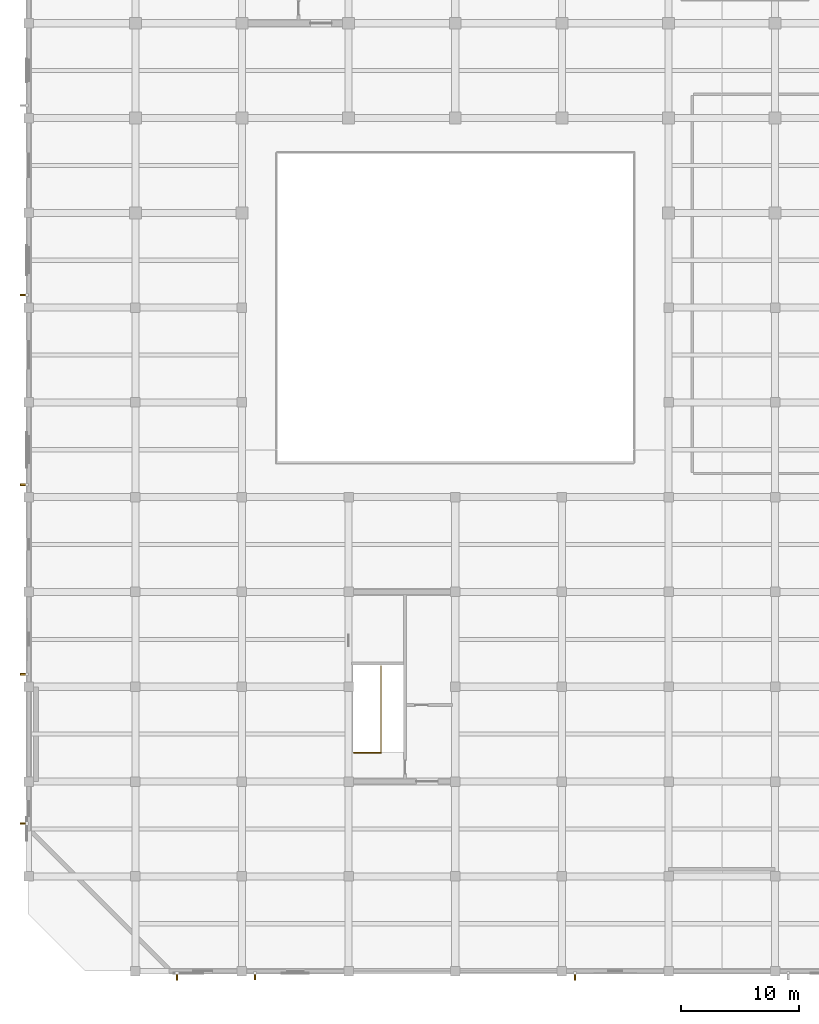
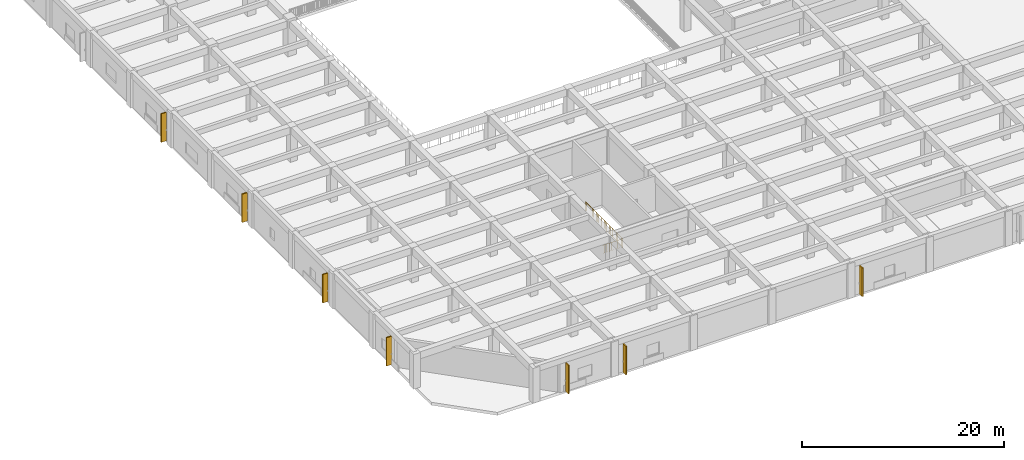
# One storey, part 27 of 32: 7 shading devices, 1 railing.
"""IFC4 building model written with IfcOpenShell, lengths in metres."""

from ifc_helpers import new_model, si_unit, direction, frame, frame_2d, origin, origin_2d, place, context, subcontext, project, spatial, rectangle, circle, extrude, material, layer, layer_set, type_object, element, save


model = new_model("IFC4")

# Units and contexts
model_context = context("Model", 3, precision=1e-05, world=origin(), true_north=direction((0.0, 1.0)))
body_context = subcontext(model_context, "Body", "Model", "MODEL_VIEW")
ifc_project = project(units=[si_unit("LENGTHUNIT", "METRE"), si_unit("AREAUNIT", "SQUARE_METRE"), si_unit("VOLUMEUNIT", "CUBIC_METRE"), si_unit("PLANEANGLEUNIT", "RADIAN"), si_unit("MASSUNIT", "GRAM", prefix="KILO")], contexts=[model_context])

# Site, building, storey
site_placement = place(None, origin())
site = spatial("IfcSite", under=ifc_project, at=site_placement, CompositionType="ELEMENT")
building_placement = place(site_placement, origin())
building = spatial("IfcBuilding", under=site, at=building_placement, Name="Zaverband Oceanarium and Marine Research Institute", CompositionType="ELEMENT")
storey_placement = place(building_placement, frame((0.0, 0.0, 13.5)))
storey = spatial("IfcBuildingStorey", under=building, at=storey_placement, Name="L03", CompositionType="ELEMENT", Elevation=13.5)

# Railing
ifc_material_1 = material(Name="Steel S355", Category="steel")
ifc_layer_1 = layer(ifc_material_1, 0.06005859375, Name="Steel S355")
ifc_layer_set_1 = layer_set([ifc_layer_1], Name="Steel S355")
railing_type = type_object("IfcRailingType", Name="GRD-1100", PredefinedType="BALUSTRADE", material=ifc_layer_set_1)
railing_placement = place(storey_placement, frame((27.429931640625, 18.429931640625, 0.0)))
element("IfcRailing", 1, at=railing_placement, inside=storey, type_object=railing_type, Name="1100 mm steel post-and-baluster safety guard GRD-1100", PredefinedType="BALUSTRADE", context=body_context, shape_type="SweptSolid", body=[
    extrude(circle(Radius=0.02392578125, at=origin_2d()), frame((0.0, 0.0, 1.076171875), z_axis=(1.0, 0.0, 0.0), x_axis=(0.0, 1.0, 0.0)), (0.0, 0.0, 1.0), 2.320068359375),
    extrude(circle(Radius=0.009033203125, at=origin_2d()), frame((0.0, 0.0, 0.10009765625), z_axis=(1.0, 0.0, 0.0), x_axis=(0.0, 1.0, 0.0)), (0.0, 0.0, 1.0), 2.320068359375),
    extrude(circle(Radius=0.009033203125, at=origin_2d()), frame((0.2109375, 0.0, 0.10009765625)), (0.0, 0.0, 1.0), 0.951904296875),
    extrude(circle(Radius=0.009033203125, at=origin_2d()), frame((0.421875, 0.0, 0.10009765625)), (0.0, 0.0, 1.0), 0.951904296875),
    extrude(circle(Radius=0.009033203125, at=origin_2d()), frame((0.6328125, 0.0, 0.10009765625)), (0.0, 0.0, 1.0), 0.951904296875),
    extrude(circle(Radius=0.009033203125, at=origin_2d()), frame((0.84375, 0.0, 0.10009765625)), (0.0, 0.0, 1.0), 0.951904296875),
    extrude(circle(Radius=0.009033203125, at=origin_2d()), frame((1.0546875, 0.0, 0.10009765625)), (0.0, 0.0, 1.0), 0.951904296875),
    extrude(circle(Radius=0.009033203125, at=origin_2d()), frame((1.265380859375, 0.0, 0.10009765625)), (0.0, 0.0, 1.0), 0.951904296875),
    extrude(circle(Radius=0.009033203125, at=origin_2d()), frame((1.476318359375, 0.0, 0.10009765625)), (0.0, 0.0, 1.0), 0.951904296875),
    extrude(circle(Radius=0.009033203125, at=origin_2d()), frame((1.687255859375, 0.0, 0.10009765625)), (0.0, 0.0, 1.0), 0.951904296875),
    extrude(circle(Radius=0.009033203125, at=origin_2d()), frame((1.898193359375, 0.0, 0.10009765625)), (0.0, 0.0, 1.0), 0.951904296875),
    extrude(circle(Radius=0.009033203125, at=origin_2d()), frame((2.109130859375, 0.0, 0.10009765625)), (0.0, 0.0, 1.0), 0.951904296875),
    extrude(circle(Radius=0.02392578125, at=origin_2d()), frame((2.320068359375, 0.0, 1.076171875), z_axis=(0.0, 1.0, 0.0), x_axis=(-1.0, 0.0, 0.0)), (0.0, 0.0, 1.0), 7.340087890625),
    extrude(circle(Radius=0.009033203125, at=origin_2d()), frame((2.320068359375, 0.0, 0.10009765625), z_axis=(0.0, 1.0, 0.0), x_axis=(-1.0, 0.0, 0.0)), (0.0, 0.0, 1.0), 7.340087890625),
    extrude(circle(Radius=0.009033203125, at=origin_2d()), frame((2.320068359375, 0.2158203125, 0.10009765625)), (0.0, 0.0, 1.0), 0.951904296875),
    extrude(circle(Radius=0.009033203125, at=origin_2d()), frame((2.320068359375, 0.431884765625, 0.10009765625)), (0.0, 0.0, 1.0), 0.951904296875),
    extrude(circle(Radius=0.009033203125, at=origin_2d()), frame((2.320068359375, 0.647705078125, 0.10009765625)), (0.0, 0.0, 1.0), 0.951904296875),
    extrude(circle(Radius=0.009033203125, at=origin_2d()), frame((2.320068359375, 0.863525390625, 0.10009765625)), (0.0, 0.0, 1.0), 0.951904296875),
    extrude(circle(Radius=0.009033203125, at=origin_2d()), frame((2.320068359375, 1.079345703125, 0.10009765625)), (0.0, 0.0, 1.0), 0.951904296875),
    extrude(circle(Radius=0.009033203125, at=origin_2d()), frame((2.320068359375, 1.29541015625, 0.10009765625)), (0.0, 0.0, 1.0), 0.951904296875),
    extrude(circle(Radius=0.009033203125, at=origin_2d()), frame((2.320068359375, 1.51123046875, 0.10009765625)), (0.0, 0.0, 1.0), 0.951904296875),
    extrude(circle(Radius=0.009033203125, at=origin_2d()), frame((2.320068359375, 1.72705078125, 0.10009765625)), (0.0, 0.0, 1.0), 0.951904296875),
    extrude(circle(Radius=0.009033203125, at=origin_2d()), frame((2.320068359375, 1.94287109375, 0.10009765625)), (0.0, 0.0, 1.0), 0.951904296875),
    extrude(circle(Radius=0.009033203125, at=origin_2d()), frame((2.320068359375, 2.158935546875, 0.10009765625)), (0.0, 0.0, 1.0), 0.951904296875),
    extrude(circle(Radius=0.009033203125, at=origin_2d()), frame((2.320068359375, 2.374755859375, 0.10009765625)), (0.0, 0.0, 1.0), 0.951904296875),
    extrude(circle(Radius=0.009033203125, at=origin_2d()), frame((2.320068359375, 2.590576171875, 0.10009765625)), (0.0, 0.0, 1.0), 0.951904296875),
    extrude(circle(Radius=0.009033203125, at=origin_2d()), frame((2.320068359375, 2.806396484375, 0.10009765625)), (0.0, 0.0, 1.0), 0.951904296875),
    extrude(circle(Radius=0.009033203125, at=origin_2d()), frame((2.320068359375, 3.0224609375, 0.10009765625)), (0.0, 0.0, 1.0), 0.951904296875),
    extrude(circle(Radius=0.009033203125, at=origin_2d()), frame((2.320068359375, 3.23828125, 0.10009765625)), (0.0, 0.0, 1.0), 0.951904296875),
    extrude(circle(Radius=0.009033203125, at=origin_2d()), frame((2.320068359375, 3.4541015625, 0.10009765625)), (0.0, 0.0, 1.0), 0.951904296875),
    extrude(circle(Radius=0.009033203125, at=origin_2d()), frame((2.320068359375, 3.669921875, 0.10009765625)), (0.0, 0.0, 1.0), 0.951904296875),
    extrude(circle(Radius=0.009033203125, at=origin_2d()), frame((2.320068359375, 3.885986328125, 0.10009765625)), (0.0, 0.0, 1.0), 0.951904296875),
    extrude(circle(Radius=0.009033203125, at=origin_2d()), frame((2.320068359375, 4.101806640625, 0.10009765625)), (0.0, 0.0, 1.0), 0.951904296875),
    extrude(circle(Radius=0.009033203125, at=origin_2d()), frame((2.320068359375, 4.317626953125, 0.10009765625)), (0.0, 0.0, 1.0), 0.951904296875),
    extrude(circle(Radius=0.009033203125, at=origin_2d()), frame((2.320068359375, 4.53369140625, 0.10009765625)), (0.0, 0.0, 1.0), 0.951904296875),
    extrude(circle(Radius=0.009033203125, at=origin_2d()), frame((2.320068359375, 4.74951171875, 0.10009765625)), (0.0, 0.0, 1.0), 0.951904296875),
    extrude(circle(Radius=0.009033203125, at=origin_2d()), frame((2.320068359375, 4.96533203125, 0.10009765625)), (0.0, 0.0, 1.0), 0.951904296875),
    extrude(circle(Radius=0.009033203125, at=origin_2d()), frame((2.320068359375, 5.18115234375, 0.10009765625)), (0.0, 0.0, 1.0), 0.951904296875),
    extrude(circle(Radius=0.009033203125, at=origin_2d()), frame((2.320068359375, 5.397216796875, 0.10009765625)), (0.0, 0.0, 1.0), 0.951904296875),
    extrude(circle(Radius=0.009033203125, at=origin_2d()), frame((2.320068359375, 5.613037109375, 0.10009765625)), (0.0, 0.0, 1.0), 0.951904296875),
    extrude(circle(Radius=0.009033203125, at=origin_2d()), frame((2.320068359375, 5.828857421875, 0.10009765625)), (0.0, 0.0, 1.0), 0.951904296875),
    extrude(circle(Radius=0.009033203125, at=origin_2d()), frame((2.320068359375, 6.044677734375, 0.10009765625)), (0.0, 0.0, 1.0), 0.951904296875),
    extrude(circle(Radius=0.009033203125, at=origin_2d()), frame((2.320068359375, 6.2607421875, 0.10009765625)), (0.0, 0.0, 1.0), 0.951904296875),
    extrude(circle(Radius=0.009033203125, at=origin_2d()), frame((2.320068359375, 6.4765625, 0.10009765625)), (0.0, 0.0, 1.0), 0.951904296875),
    extrude(circle(Radius=0.009033203125, at=origin_2d()), frame((2.320068359375, 6.6923828125, 0.10009765625)), (0.0, 0.0, 1.0), 0.951904296875),
    extrude(circle(Radius=0.009033203125, at=origin_2d()), frame((2.320068359375, 6.908203125, 0.10009765625)), (0.0, 0.0, 1.0), 0.951904296875),
    extrude(circle(Radius=0.009033203125, at=origin_2d()), frame((2.320068359375, 7.124267578125, 0.10009765625)), (0.0, 0.0, 1.0), 0.951904296875),
    extrude(circle(Radius=0.02099609375, at=origin_2d()), origin(), (0.0, 0.0, 1.0), 1.052001953125),
    extrude(circle(Radius=0.02099609375, at=origin_2d()), frame((0.7734375, 0.0, 0.0)), (0.0, 0.0, 1.0), 1.052001953125),
    extrude(circle(Radius=0.02099609375, at=origin_2d()), frame((1.546630859375, 0.0, 0.0)), (0.0, 0.0, 1.0), 1.052001953125),
    extrude(circle(Radius=0.02099609375, at=origin_2d()), frame((2.320068359375, 0.0, 0.0)), (0.0, 0.0, 1.0), 1.052001953125),
    extrude(circle(Radius=0.02099609375, at=origin_2d()), frame((2.320068359375, 1.048583984375, 0.0)), (0.0, 0.0, 1.0), 1.052001953125),
    extrude(circle(Radius=0.02099609375, at=origin_2d()), frame((2.320068359375, 2.09716796875, 0.0)), (0.0, 0.0, 1.0), 1.052001953125),
    extrude(circle(Radius=0.02099609375, at=origin_2d()), frame((2.320068359375, 3.145751953125, 0.0)), (0.0, 0.0, 1.0), 1.052001953125),
    extrude(circle(Radius=0.02099609375, at=origin_2d()), frame((2.320068359375, 4.1943359375, 0.0)), (0.0, 0.0, 1.0), 1.052001953125),
    extrude(circle(Radius=0.02099609375, at=origin_2d()), frame((2.320068359375, 5.242919921875, 0.0)), (0.0, 0.0, 1.0), 1.052001953125),
    extrude(circle(Radius=0.02099609375, at=origin_2d()), frame((2.320068359375, 6.29150390625, 0.0)), (0.0, 0.0, 1.0), 1.052001953125),
    extrude(circle(Radius=0.02099609375, at=origin_2d()), frame((2.320068359375, 7.340087890625, 0.0)), (0.0, 0.0, 1.0), 1.052001953125),
])

# Shading devices
ifc_material_2 = material(Name="Concrete C40/50 precast brise-soleil", Category="concrete")
ifc_layer_2 = layer(ifc_material_2, 0.139892578125, Name="Concrete C40/50 precast brise-soleil")
ifc_layer_set_2 = layer_set([ifc_layer_2], Name="Concrete C40/50 precast brise-soleil")
shading_device_type = type_object("IfcShadingDeviceType", Name="SHD-FIN-600", PredefinedType="JALOUSIE", material=ifc_layer_set_2)
for number, where, z_axis, x_axis, name in (
    (2, (12.52001953125, -0.14990234375, 0.0), (0.0, 0.0, 1.0), (0.0, -1.0, 0.0), "600 mm vertical precast brise-soleil fin SHD-FIN-600"),
    (3, (19.10498046875, -0.135009765625, 0.0), (0.0, 0.0, 1.0), (0.0, -1.0, 0.0), "600 mm vertical precast brise-soleil fin SHD-FIN-600"),
    (4, (46.10498046875, -0.14990234375, 0.0), (0.0, 0.0, 1.0), (0.0, -1.0, 0.0), "600 mm vertical precast brise-soleil fin SHD-FIN-600"),
    (5, (-0.125, 12.469970703125, 0.0), (0.0, 0.0, 1.0), (-1.0, 0.0, 0.0), "600 mm vertical precast brise-soleil fin SHD-FIN-600"),
    (6, (-0.135009765625, 25.054931640625, 0.0), (0.0, 0.0, 1.0), (-1.0, 0.0, 0.0), "600 mm vertical precast brise-soleil fin SHD-FIN-600"),
):
    element("IfcShadingDevice", number, at=place(storey_placement, frame(where, z_axis=z_axis, x_axis=x_axis)), inside=storey, type_object=shading_device_type, Name=name, PredefinedType="JALOUSIE", context=body_context, shape_type="SweptSolid", body=[
        extrude(rectangle(XDim=0.60009765625, YDim=0.139892578125, at=frame_2d((0.300048828125, 0.0))), origin(), (0.0, 0.0, 1.0), 3.429931640625),
    ])
shading_device_1_placement = place(storey_placement, frame((-0.112548828125, 41.054931640625, 0.0), z_axis=(0.0, 0.0, 1.0), x_axis=(-1.0, 0.0, 0.0)))
element("IfcShadingDevice", 7, at=shading_device_1_placement, inside=storey, type_object=shading_device_type, Name="600 mm vertical precast brise-soleil fin SHD-FIN-600", PredefinedType="JALOUSIE", context=body_context, shape_type="SweptSolid", body=[
    extrude(rectangle(XDim=0.599853515625, YDim=0.139892578125, at=frame_2d((0.2998046875, 0.0))), origin(), (0.0, 0.0, 1.0), 3.429931640625),
])
shading_device_2_placement = place(storey_placement, frame((-0.125, 57.054931640625, 0.0), z_axis=(0.0, 0.0, 1.0), x_axis=(-1.0, 0.0, 0.0)))
element("IfcShadingDevice", 8, at=shading_device_2_placement, inside=storey, type_object=shading_device_type, Name="600 mm vertical precast brise-soleil fin SHD-FIN-600", PredefinedType="JALOUSIE", context=body_context, shape_type="SweptSolid", body=[
    extrude(rectangle(XDim=0.60009765625, YDim=0.139892578125, at=frame_2d((0.300048828125, 0.0))), origin(), (0.0, 0.0, 1.0), 3.429931640625),
])

save(model, "model.ifc")
